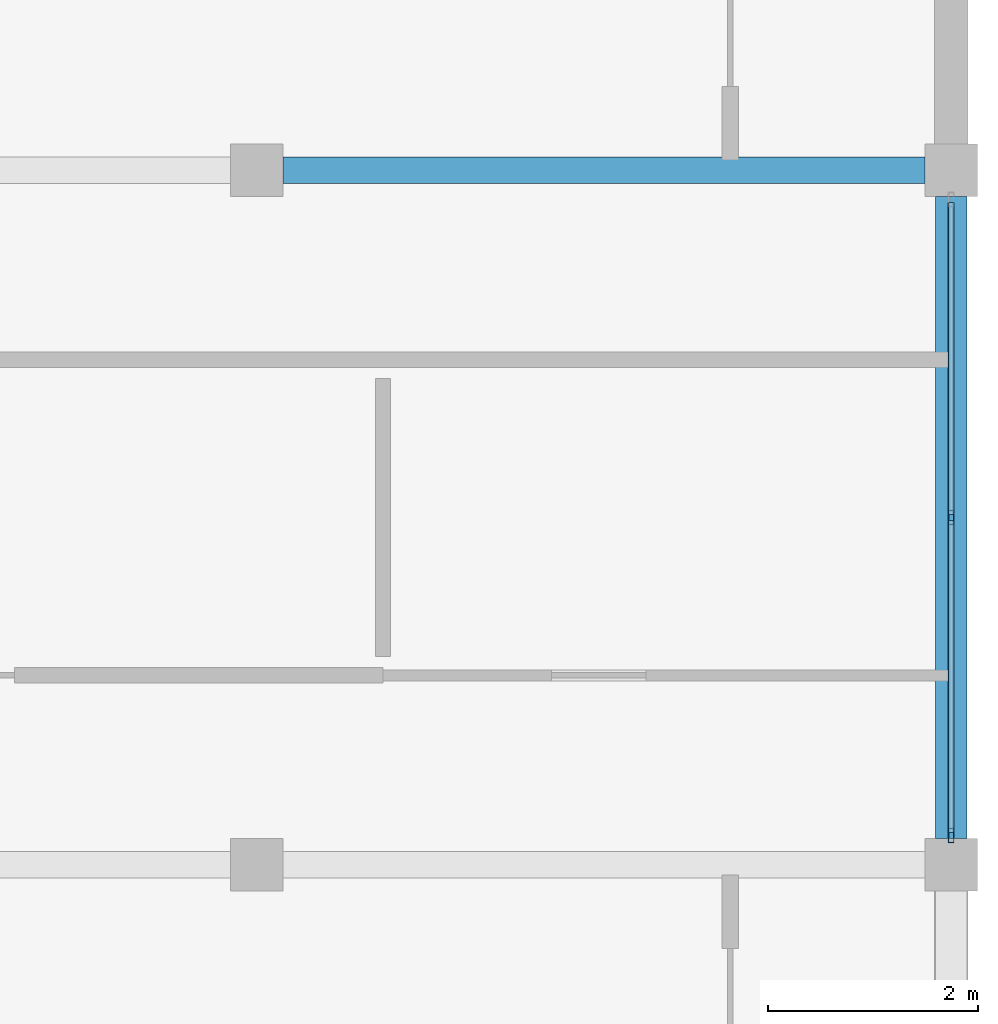
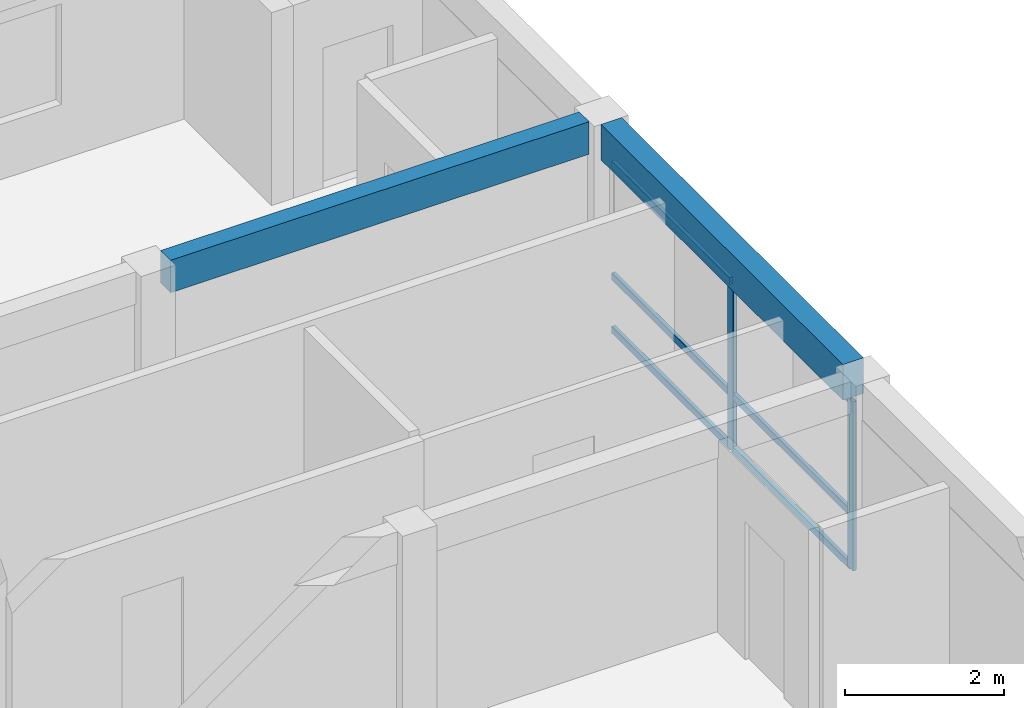
# One storey, part 23 of 53: 8 members, 2 beams, 1 element without a shape of its own.
"""IFC4 building model written with IfcOpenShell, lengths in metres."""

from ifc_helpers import new_model, si_unit, direction, frame, origin, origin_2d, place, context, subcontext, project, spatial, rectangle, hollow_rectangle, extrude, material, material_profile, profile_set, type_object, element, aggregate, save


model = new_model("IFC4")

# Units and contexts
model_context = context("Model", 3, precision=1e-05, world=origin(), true_north=direction((0.0, 1.0)))
body_context = subcontext(model_context, "Body", "Model", "MODEL_VIEW")
ifc_project = project(units=[si_unit("LENGTHUNIT", "METRE"), si_unit("AREAUNIT", "SQUARE_METRE"), si_unit("VOLUMEUNIT", "CUBIC_METRE"), si_unit("PLANEANGLEUNIT", "RADIAN"), si_unit("MASSUNIT", "GRAM", prefix="KILO")], contexts=[model_context])

# Site, building, storey
site_placement = place(None, origin())
site = spatial("IfcSite", under=ifc_project, at=site_placement, CompositionType="ELEMENT")
building_placement = place(site_placement, origin())
building = spatial("IfcBuilding", under=site, at=building_placement, Name="Kernevlak Ridge Housing Community", CompositionType="ELEMENT")
storey_placement = place(building_placement, frame((0.0, 0.0, 24.39990234375)))
storey = spatial("IfcBuildingStorey", under=building, at=storey_placement, Name="L07", CompositionType="ELEMENT", Elevation=24.39990234375)

# Beam
ifc_material_1 = material(Name="Concrete C35/45", Category="concrete")
ifc_material_profile_1 = material_profile(ifc_material_1, rectangle(XDim=0.25, YDim=0.5, at=origin_2d()), Name="RC 250x500")
ifc_profile_set_1 = profile_set([ifc_material_profile_1], Name="Concrete C35/45")
beam_type_1 = type_object("IfcBeamType", Name="B-06", PredefinedType="T_BEAM", material=ifc_profile_set_1)
beam_1_placement = place(storey_placement, frame((146.050048828125, 95.800048828125, 2.9501953125), z_axis=(1.0, 0.0, 0.0), x_axis=(0.0, 1.0, 0.0)))
element("IfcBeam", 1, at=beam_1_placement, inside=storey, type_object=beam_type_1, Name="Beam B-06 L07 773", PredefinedType="T_BEAM", context=body_context, shape_type="SweptSolid", body=[
    extrude(rectangle(XDim=0.25, YDim=0.5, at=origin_2d()), origin(), (0.0, 0.0, 1.0), 6.099853515625),
])

# Curtain wall, members
ifc_material_2 = material(Name="Aluminium EN AW-6060 anodised and laminated glass", Category="aluminium")
curtain_wall_type = type_object("IfcCurtainWallType", Name="CW-11", PredefinedType="NOTDEFINED", material=ifc_material_2)
curtain_wall_placement = place(storey_placement, origin())
curtain_wall = element("IfcCurtainWall", 2, at=curtain_wall_placement, inside=storey, type_object=curtain_wall_type, Name="Curtain wall CW-11 CW-L07-078", PredefinedType="NOTDEFINED")
ifc_material_3 = material(Name="Aluminium EN AW-6060 anodised", Category="aluminium")
ifc_material_profile_2 = material_profile(ifc_material_3, hollow_rectangle(XDim=0.054931640625, YDim=0.139892578125, WallThickness=0.00390625, InnerFilletRadius=0.001953125, OuterFilletRadius=0.00390625, at=origin_2d()), Name="ALU 55x140x4")
ifc_profile_set_2 = profile_set([ifc_material_profile_2], Name="Aluminium EN AW-6060 anodised")
member_type_1 = type_object("IfcMemberType", Name="MU-01", PredefinedType="MULLION", material=ifc_profile_set_2)
member_1_placement = place(storey_placement, frame((152.39990234375, 89.4775390625, 0.0), z_axis=(0.0, 0.0, 1.0), x_axis=(-1.0, 0.0, 0.0)))
member_1 = element("IfcMember", 3, at=member_1_placement, type_object=member_type_1, Name="CW-11 mullion 1", PredefinedType="MULLION", context=body_context, shape_type="SweptSolid", body=[
    extrude(hollow_rectangle(XDim=0.054931640625, YDim=0.139892578125, WallThickness=0.00390625, InnerFilletRadius=0.001953125, OuterFilletRadius=0.00390625, at=origin_2d()), origin(), (0.0, 0.0, 1.0), 2.60009765625),
])
member_2_placement = place(storey_placement, frame((152.39990234375, 92.5, 0.0), z_axis=(0.0, 0.0, 1.0), x_axis=(-1.0, 0.0, 0.0)))
member_2 = element("IfcMember", 4, at=member_2_placement, type_object=member_type_1, Name="CW-11 mullion 2", PredefinedType="MULLION", context=body_context, shape_type="SweptSolid", body=[
    extrude(hollow_rectangle(XDim=0.054931640625, YDim=0.139892578125, WallThickness=0.00390625, InnerFilletRadius=0.001953125, OuterFilletRadius=0.00390625, at=origin_2d()), origin(), (0.0, 0.0, 1.0), 2.60009765625),
])

# Beam
ifc_material_profile_3 = material_profile(ifc_material_1, rectangle(XDim=0.300048828125, YDim=0.550048828125, at=origin_2d()), Name="RC 300x550")
ifc_profile_set_3 = profile_set([ifc_material_profile_3], Name="Concrete C35/45")
beam_type_2 = type_object("IfcBeamType", Name="SP-01", PredefinedType="SPANDREL", material=ifc_profile_set_3)
beam_2_placement = place(storey_placement, frame((152.39990234375, 89.449951171875, 2.925048828125), z_axis=(0.0, 1.0, 0.0), x_axis=(-1.0, 0.0, 0.0)))
element("IfcBeam", 5, at=beam_2_placement, inside=storey, type_object=beam_type_2, Name="Beam SP-01 L07 783", PredefinedType="SPANDREL", context=body_context, shape_type="SweptSolid", body=[
    extrude(rectangle(XDim=0.300048828125, YDim=0.550048828125, at=origin_2d()), origin(), (0.0, 0.0, 1.0), 6.10009765625),
])

# Member
ifc_material_profile_4 = material_profile(ifc_material_3, hollow_rectangle(XDim=0.054931640625, YDim=0.110107421875, WallThickness=0.00390625, InnerFilletRadius=0.001953125, OuterFilletRadius=0.00390625, at=origin_2d()), Name="ALU 55x110x4")
ifc_profile_set_4 = profile_set([ifc_material_profile_4], Name="Aluminium EN AW-6060 anodised")
member_type_2 = type_object("IfcMemberType", Name="TM-01", PredefinedType="USERDEFINED", material=ifc_profile_set_4)
member_3_placement = place(storey_placement, frame((152.39990234375, 89.5048828125, 0.027587890625), z_axis=(0.0, 1.0, 0.0), x_axis=(-1.0, 0.0, 0.0)))
member_3 = element("IfcMember", 6, at=member_3_placement, type_object=member_type_2, Name="CW-11 transom 1.1", ObjectType="TRANSOM", PredefinedType="USERDEFINED", context=body_context, shape_type="SweptSolid", body=[
    extrude(hollow_rectangle(XDim=0.054931640625, YDim=0.110107421875, WallThickness=0.00390625, InnerFilletRadius=0.001953125, OuterFilletRadius=0.00390625, at=origin_2d()), origin(), (0.0, 0.0, 1.0), 2.967529296875),
])

member_4_placement = place(storey_placement, frame((152.39990234375, 89.5048828125, 0.85009765625), z_axis=(0.0, 1.0, 0.0), x_axis=(-1.0, 0.0, 0.0)))
member_4 = element("IfcMember", 7, at=member_4_placement, type_object=member_type_2, Name="CW-11 transom 1.2", ObjectType="TRANSOM", PredefinedType="USERDEFINED", context=body_context, shape_type="SweptSolid", body=[
    extrude(hollow_rectangle(XDim=0.054931640625, YDim=0.110107421875, WallThickness=0.00390625, InnerFilletRadius=0.001953125, OuterFilletRadius=0.00390625, at=origin_2d()), origin(), (0.0, 0.0, 1.0), 2.967529296875),
])

member_5_placement = place(storey_placement, frame((152.39990234375, 89.5048828125, 2.572509765625), z_axis=(0.0, 1.0, 0.0), x_axis=(-1.0, 0.0, 0.0)))
member_5 = element("IfcMember", 8, at=member_5_placement, type_object=member_type_2, Name="CW-11 transom 1.3", ObjectType="TRANSOM", PredefinedType="USERDEFINED", context=body_context, shape_type="SweptSolid", body=[
    extrude(hollow_rectangle(XDim=0.054931640625, YDim=0.110107421875, WallThickness=0.00390625, InnerFilletRadius=0.001953125, OuterFilletRadius=0.00390625, at=origin_2d()), origin(), (0.0, 0.0, 1.0), 2.967529296875),
])

member_6_placement = place(storey_placement, frame((152.39990234375, 92.527587890625, 0.027587890625), z_axis=(0.0, 1.0, 0.0), x_axis=(-1.0, 0.0, 0.0)))
member_6 = element("IfcMember", 9, at=member_6_placement, type_object=member_type_2, Name="CW-11 transom 2.1", ObjectType="TRANSOM", PredefinedType="USERDEFINED", context=body_context, shape_type="SweptSolid", body=[
    extrude(hollow_rectangle(XDim=0.054931640625, YDim=0.110107421875, WallThickness=0.00390625, InnerFilletRadius=0.001953125, OuterFilletRadius=0.00390625, at=origin_2d()), origin(), (0.0, 0.0, 1.0), 2.967529296875),
])

member_7_placement = place(storey_placement, frame((152.39990234375, 92.527587890625, 0.85009765625), z_axis=(0.0, 1.0, 0.0), x_axis=(-1.0, 0.0, 0.0)))
member_7 = element("IfcMember", 10, at=member_7_placement, type_object=member_type_2, Name="CW-11 transom 2.2", ObjectType="TRANSOM", PredefinedType="USERDEFINED", context=body_context, shape_type="SweptSolid", body=[
    extrude(hollow_rectangle(XDim=0.054931640625, YDim=0.110107421875, WallThickness=0.00390625, InnerFilletRadius=0.001953125, OuterFilletRadius=0.00390625, at=origin_2d()), origin(), (0.0, 0.0, 1.0), 2.967529296875),
])

member_8_placement = place(storey_placement, frame((152.39990234375, 92.527587890625, 2.572509765625), z_axis=(0.0, 1.0, 0.0), x_axis=(-1.0, 0.0, 0.0)))
member_8 = element("IfcMember", 11, at=member_8_placement, type_object=member_type_2, Name="CW-11 transom 2.3", ObjectType="TRANSOM", PredefinedType="USERDEFINED", context=body_context, shape_type="SweptSolid", body=[
    extrude(hollow_rectangle(XDim=0.054931640625, YDim=0.110107421875, WallThickness=0.00390625, InnerFilletRadius=0.001953125, OuterFilletRadius=0.00390625, at=origin_2d()), origin(), (0.0, 0.0, 1.0), 2.967529296875),
])

aggregate(curtain_wall, [member_1, member_2, member_3, member_4, member_5, member_6, member_7, member_8])

save(model, "model.ifc")
